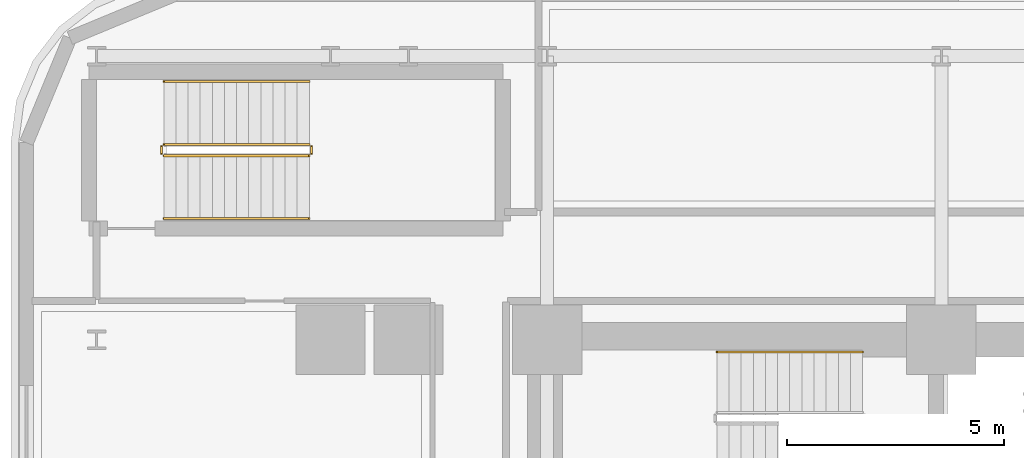
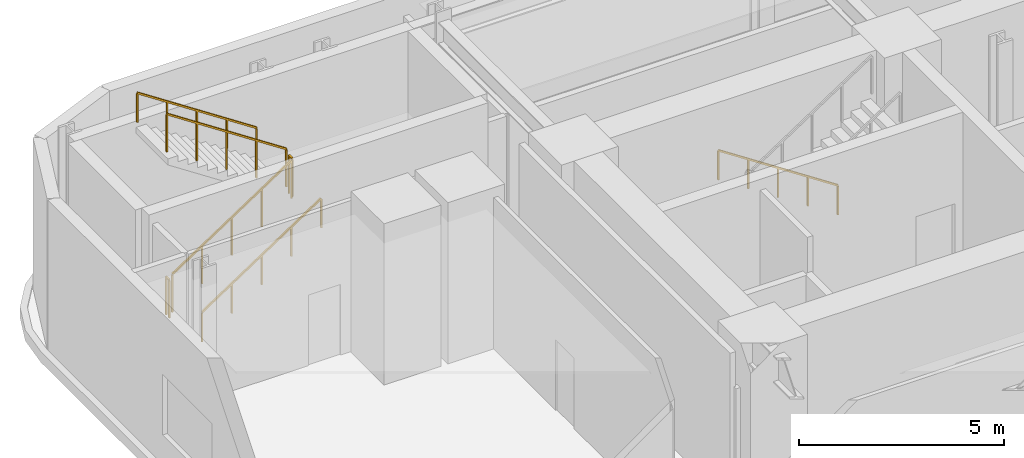
# One storey, part 15 of 16: 7 railings.
"""IFC4 building model written with IfcOpenShell, lengths in metres."""

import ifcopenshell
import ifcopenshell.guid

model = None  # the IFC model being written
_history = None  # IfcOwnerHistory: only IFC2X3 demands one
_inside = {}  # id of a spatial element -> (the spatial element, [elements in it])
_under = {}  # id of a project, library or spatial element -> (it, [spatial elements below it])
_declared = {}  # id of a project -> (the project, [libraries it declares])
_typed = {}  # id of a type object -> (the type object, [elements of that type])
_made_of = {}  # id of a material, layer set ... -> (it, [elements and type objects made of it])


def new_model(schema):
    """Start an empty IFC model of exactly this schema.

    Asked for "IFC4X3", IfcOpenShell would pick the latest addendum, in which some entities
    have other attributes; the version numbers below select the first issue.
    IFC2X3 requires an IfcOwnerHistory on every rooted entity: one is made here for all.
    """
    global model, _history
    if schema == "IFC4X3":
        model = ifcopenshell.file(schema_version=(4, 3, 0, 0))
    else:
        model = ifcopenshell.file(schema=schema)
    _inside.clear()
    _under.clear()
    _declared.clear()
    _typed.clear()
    _made_of.clear()
    _history = None
    if model.schema == "IFC2X3":
        org = make("IfcOrganization", Name="unknown")
        user = make(
            "IfcPersonAndOrganization",
            ThePerson=make("IfcPerson", FamilyName="unknown"),
            TheOrganization=org,
        )
        app = make(
            "IfcApplication",
            ApplicationDeveloper=org,
            Version="unknown",
            ApplicationFullName="unknown",
            ApplicationIdentifier="unknown",
        )
        _history = make(
            "IfcOwnerHistory",
            OwningUser=user,
            OwningApplication=app,
            ChangeAction="ADDED",
            CreationDate=0,
        )
    return model


def make(cls, **values):
    """One entity of the class cls with the attributes given. An attribute that is None is left unset."""
    return model.create_entity(
        cls, **{name: value for name, value in values.items() if value is not None}
    )


def rooted(cls, **values):
    """An entity with a GlobalId (a new one), such as an element, a storey or a relation."""
    return make(cls, GlobalId=ifcopenshell.guid.new(), OwnerHistory=_history, **values)


def si_unit(unit_type, name, prefix=None):
    """IfcSIUnit, for example si_unit("LENGTHUNIT", "METRE", prefix="MILLI")."""
    return make("IfcSIUnit", UnitType=unit_type, Prefix=prefix, Name=name)


def assignment(units):
    """IfcUnitAssignment: the units of a project."""
    return None if units is None else make("IfcUnitAssignment", Units=units)


def point(xyz):
    """IfcCartesianPoint."""
    return None if xyz is None else make("IfcCartesianPoint", Coordinates=xyz)


def direction(xyz):
    """IfcDirection."""
    return None if xyz is None else make("IfcDirection", DirectionRatios=xyz)


def frame(location, z_axis=None, x_axis=None):
    """IfcAxis2Placement3D, a coordinate frame: its origin and axes. An axis left out is left unset."""
    return make(
        "IfcAxis2Placement3D",
        Location=point(location),
        Axis=direction(z_axis),
        RefDirection=direction(x_axis),
    )


def frame_2d(location, x_axis=None):
    """IfcAxis2Placement2D, a coordinate frame in the plane: its origin and x axis."""
    return make(
        "IfcAxis2Placement2D", Location=point(location), RefDirection=direction(x_axis)
    )


def origin():
    """The frame at (0, 0, 0) with its axes left unset."""
    return frame((0.0, 0.0, 0.0))


def origin_2d():
    """The frame at (0, 0) in the plane with its x axis left unset."""
    return frame_2d((0.0, 0.0))


def place(relative_to, where):
    """IfcLocalPlacement: puts the frame where relative to a parent placement (None: the world)."""
    return make(
        "IfcLocalPlacement", PlacementRelTo=relative_to, RelativePlacement=where
    )


def context(
    kind, dimensions, precision=None, world=None, true_north=None, identifier=None
):
    """IfcGeometricRepresentationContext, for example the 3D "Model" context."""
    return make(
        "IfcGeometricRepresentationContext",
        ContextIdentifier=identifier,
        ContextType=kind,
        CoordinateSpaceDimension=dimensions,
        Precision=precision,
        WorldCoordinateSystem=world,
        TrueNorth=true_north,
    )


def subcontext(parent, identifier, kind, view, scale=None):
    """IfcGeometricRepresentationSubContext, for example "Body" below "Model"."""
    return make(
        "IfcGeometricRepresentationSubContext",
        ContextIdentifier=identifier,
        ContextType=kind,
        ParentContext=parent,
        TargetScale=scale,
        TargetView=view,
    )


def project(units=None, contexts=None):
    """IfcProject with its units and contexts."""
    return rooted(
        "IfcProject",
        Name="project",
        RepresentationContexts=contexts,
        UnitsInContext=assignment(units),
    )


def spatial(cls, under=None, at=None, **own):
    """A site, building, storey or space (cls), placed at a placement, below another one or the project."""
    s = rooted(cls, ObjectPlacement=at, **own)
    if under is not None:
        _under.setdefault(under.id(), (under, []))[1].append(s)
    return s


def profile(cls, at=None, kind="AREA", **sizes):
    """A parametric profile (cls). Its sizes go by their IFC names, for example OverallWidth=200.0."""
    return make(cls, ProfileType=kind, Position=at, **sizes)


def rectangle(**sizes):
    """IfcRectangleProfileDef."""
    return profile("IfcRectangleProfileDef", **sizes)


def extrude(swept, where, along, depth):
    """IfcExtrudedAreaSolid: the profile swept, set in the frame where, extruded along a direction by depth."""
    return make(
        "IfcExtrudedAreaSolid",
        SweptArea=swept,
        Position=where,
        ExtrudedDirection=direction(along),
        Depth=depth,
    )


def shape(context_of_items, identifier, shape_type, items):
    """IfcShapeRepresentation: the items that make up one representation, for example the "Body"."""
    return make(
        "IfcShapeRepresentation",
        ContextOfItems=context_of_items,
        RepresentationIdentifier=identifier,
        RepresentationType=shape_type,
        Items=items,
    )


def material(Name=None, Category=None):
    """IfcMaterial."""
    return make("IfcMaterial", Name=Name, Category=Category)


def made_of(thing, what):
    """Note that an element or type object is made of a material, layer set ...; save() writes the relation."""
    if what is not None:
        _made_of.setdefault(what.id(), (what, []))[1].append(thing)
    return thing


def type_object(cls, material=None, **own):
    """A type object (cls), such as IfcWallType, which elements share."""
    return made_of(rooted(cls, **own), material)


def element(
    cls,
    number,
    at=None,
    inside=None,
    cuts=None,
    type_object=None,
    material=None,
    context=None,
    identifier="Body",
    shape_type=None,
    held_by="IfcProductDefinitionShape",
    body=None,
    shapes=None,
    **own,
):
    """One element of the class cls, such as IfcWall. Its Tag is "e" and its number.

    at: its placement. inside: the storey or other place that contains it. cuts: it is an
    opening in that element (IfcRelVoidsElement). A single representation is given by context,
    identifier, shape_type and body (its items); several are given by shapes. held_by: the class
    of the entity that holds the representations. save() writes the other relations.
    """
    e = rooted(cls, Tag="e%d" % number, ObjectPlacement=at, **own)
    if body is not None:
        shapes = [shape(context, identifier, shape_type, body)]
    if shapes is not None:
        e.Representation = make(held_by, Representations=shapes)
    if inside is not None:
        _inside.setdefault(inside.id(), (inside, []))[1].append(e)
    if cuts is not None:
        rooted(
            "IfcRelVoidsElement", RelatingBuildingElement=cuts, RelatedOpeningElement=e
        )
    if type_object is not None:
        _typed.setdefault(type_object.id(), (type_object, []))[1].append(e)
    return made_of(e, material)


def aggregate(whole, parts):
    """IfcRelAggregates: a whole, such as a stair, and the parts it consists of."""
    return rooted("IfcRelAggregates", RelatingObject=whole, RelatedObjects=parts)


def save(model, path):
    """Write the relations noted so far, then the file.

    IfcRelAggregates (storeys below a building ...), IfcRelContainedInSpatialStructure (elements
    in a storey), IfcRelDefinesByType, IfcRelAssociatesMaterial and IfcRelDeclares: one each for
    every whole, place, type object, material and project.
    """
    for whole, parts in _under.values():
        aggregate(whole, parts)
    for where, things in _inside.values():
        rooted(
            "IfcRelContainedInSpatialStructure",
            RelatedElements=things,
            RelatingStructure=where,
        )
    for kind, things in _typed.values():
        rooted("IfcRelDefinesByType", RelatedObjects=things, RelatingType=kind)
    for what, things in _made_of.values():
        rooted("IfcRelAssociatesMaterial", RelatedObjects=things, RelatingMaterial=what)
    for by, libraries in _declared.values():
        rooted("IfcRelDeclares", RelatingContext=by, RelatedDefinitions=libraries)
    model.write(path)


model = new_model("IFC4")

# Units and contexts
model_context = context("Model", 3, precision=1e-05, world=origin(), true_north=direction((0.0, 1.0)))
body_context = subcontext(model_context, "Body", "Model", "MODEL_VIEW")
ifc_project = project(units=[si_unit("LENGTHUNIT", "METRE"), si_unit("AREAUNIT", "SQUARE_METRE"), si_unit("VOLUMEUNIT", "CUBIC_METRE"), si_unit("PLANEANGLEUNIT", "RADIAN"), si_unit("MASSUNIT", "GRAM", prefix="KILO")], contexts=[model_context])

# Site, building, storey
site_placement = place(None, origin())
site = spatial("IfcSite", under=ifc_project, at=site_placement, CompositionType="ELEMENT")
building_placement = place(site_placement, origin())
building = spatial("IfcBuilding", under=site, at=building_placement, Name="Zarnavel Station Tower", CompositionType="ELEMENT")
storey_placement = place(building_placement, frame((0.0, 0.0, 19.39990234375)))
storey = spatial("IfcBuildingStorey", under=building, at=storey_placement, Name="L05", CompositionType="ELEMENT", Elevation=19.39990234375)

# Railings
ifc_material_1 = material(Name="Painted Steel S355J2 Balustrade", Category="steel")
railing_type_1 = type_object("IfcRailingType", Name="GR_INT_1150", PredefinedType="GUARDRAIL", material=ifc_material_1)
railing_1_placement = place(storey_placement, frame((3.35009765625, 41.300048828125, 0.184814453125)))
element("IfcRailing", 1, at=railing_1_placement, inside=storey, type_object=railing_type_1, Name="L05 ST4 stair guard 1", PredefinedType="GUARDRAIL", context=body_context, shape_type="SweptSolid", body=[
    extrude(rectangle(XDim=0.048095703125, YDim=0.048095703125, at=origin_2d()), frame((0.001708984375, 0.0, 1.126953125), z_axis=(0.834858096282, 0.0, 0.550465220583), x_axis=(0.0, 1.0, 0.0)), (0.0, 0.0, 1.0), 4.0205078125),
    extrude(rectangle(XDim=0.0419921875, YDim=0.0419921875, at=origin_2d()), origin(), (0.0, 0.0, 1.0), 1.101806640625),
    extrude(rectangle(XDim=0.0419921875, YDim=0.0419921875, at=origin_2d()), frame((0.83984375, 0.0, 0.5537109375)), (0.0, 0.0, 1.0), 1.101806640625),
    extrude(rectangle(XDim=0.0419921875, YDim=0.0419921875, at=origin_2d()), frame((1.679931640625, 0.0, 1.107666015625)), (0.0, 0.0, 1.0), 1.101806640625),
    extrude(rectangle(XDim=0.0419921875, YDim=0.0419921875, at=origin_2d()), frame((2.52001953125, 0.0, 1.66162109375)), (0.0, 0.0, 1.0), 1.101806640625),
    extrude(rectangle(XDim=0.0419921875, YDim=0.0419921875, at=origin_2d()), frame((3.35986328125, 0.0, 2.21533203125)), (0.0, 0.0, 1.0), 1.101806640625),
])
railing_2_placement = place(storey_placement, frame((6.760009765625, 41.35009765625, 2.400146484375)))
element("IfcRailing", 2, at=railing_2_placement, inside=storey, type_object=railing_type_1, Name="L05 ST4 stair guard 2", PredefinedType="GUARDRAIL", context=body_context, shape_type="SweptSolid", body=[
    extrude(rectangle(XDim=0.048095703125, YDim=0.048095703125, at=origin_2d()), frame((0.0, 0.001953125, 1.1259765625), z_axis=(0.0, 1.0, 0.0), x_axis=(-1.0, 0.0, 0.0)), (0.0, 0.0, 1.0), 0.156005859375),
    extrude(rectangle(XDim=0.0419921875, YDim=0.0419921875, at=origin_2d()), origin(), (0.0, 0.0, 1.0), 1.101806640625),
    extrude(rectangle(XDim=0.0419921875, YDim=0.0419921875, at=origin_2d()), frame((0.0, 0.159912109375, 0.0)), (0.0, 0.0, 1.0), 1.101806640625),
])
railing_3_placement = place(storey_placement, frame((6.7099609375, 41.56005859375, 2.584716796875)))
element("IfcRailing", 3, at=railing_3_placement, inside=storey, type_object=railing_type_1, Name="L05 ST4 stair guard 3", PredefinedType="GUARDRAIL", context=body_context, shape_type="SweptSolid", body=[
    extrude(rectangle(XDim=0.048095703125, YDim=0.048095703125, at=origin_2d()), frame((-0.001708984375, 0.0, 1.126953125), z_axis=(-0.834858096282, 0.0, 0.550465220583), x_axis=(0.0, -1.0, 0.0)), (0.0, 0.0, 1.0), 4.0205078125),
    extrude(rectangle(XDim=0.0419921875, YDim=0.0419921875, at=origin_2d()), origin(), (0.0, 0.0, 1.0), 1.101806640625),
    extrude(rectangle(XDim=0.0419921875, YDim=0.0419921875, at=origin_2d()), frame((-0.83984375, 0.0, 0.5537109375)), (0.0, 0.0, 1.0), 1.101806640625),
    extrude(rectangle(XDim=0.0419921875, YDim=0.0419921875, at=origin_2d()), frame((-1.679931640625, 0.0, 1.107666015625)), (0.0, 0.0, 1.0), 1.101806640625),
    extrude(rectangle(XDim=0.0419921875, YDim=0.0419921875, at=origin_2d()), frame((-2.52001953125, 0.0, 1.66162109375)), (0.0, 0.0, 1.0), 1.101806640625),
    extrude(rectangle(XDim=0.0419921875, YDim=0.0419921875, at=origin_2d()), frame((-3.35986328125, 0.0, 2.21533203125)), (0.0, 0.0, 1.0), 1.101806640625),
])
railing_4_placement = place(storey_placement, frame((3.300048828125, 41.35009765625, 0.0)))
element("IfcRailing", 4, at=railing_4_placement, inside=storey, type_object=railing_type_1, Name="L05 ST4 stair guard 4", PredefinedType="GUARDRAIL", context=body_context, shape_type="SweptSolid", body=[
    extrude(rectangle(XDim=0.048095703125, YDim=0.048095703125, at=origin_2d()), frame((0.0, 0.001953125, 1.1259765625), z_axis=(0.0, 1.0, 0.0), x_axis=(-1.0, 0.0, 0.0)), (0.0, 0.0, 1.0), 0.156005859375),
    extrude(rectangle(XDim=0.0419921875, YDim=0.0419921875, at=origin_2d()), origin(), (0.0, 0.0, 1.0), 1.101806640625),
    extrude(rectangle(XDim=0.0419921875, YDim=0.0419921875, at=origin_2d()), frame((0.0, 0.159912109375, 0.0)), (0.0, 0.0, 1.0), 1.101806640625),
])
ifc_material_2 = material(Name="Brushed Stainless Steel S355J2 Handrail", Category="steel")
railing_type_2 = type_object("IfcRailingType", Name="HR_STAIR_900", PredefinedType="HANDRAIL", material=ifc_material_2)
railing_5_placement = place(storey_placement, frame((19.47998046875, 36.77001953125, 0.184814453125)))
element("IfcRailing", 5, at=railing_5_placement, inside=storey, type_object=railing_type_2, Name="L05 ST1 stair handrail 1", PredefinedType="HANDRAIL", context=body_context, shape_type="SweptSolid", body=[
    extrude(rectangle(XDim=0.048095703125, YDim=0.048095703125, at=origin_2d()), frame((-0.001708984375, 0.0, 0.876953125), z_axis=(-0.834858096282, 0.0, 0.550465220583), x_axis=(0.0, -1.0, 0.0)), (0.0, 0.0, 1.0), 4.0205078125),
    extrude(rectangle(XDim=0.0419921875, YDim=0.0419921875, at=origin_2d()), origin(), (0.0, 0.0, 1.0), 0.851806640625),
    extrude(rectangle(XDim=0.0419921875, YDim=0.0419921875, at=origin_2d()), frame((-0.83984375, 0.0, 0.5537109375)), (0.0, 0.0, 1.0), 0.851806640625),
    extrude(rectangle(XDim=0.0419921875, YDim=0.0419921875, at=origin_2d()), frame((-1.679931640625, 0.0, 1.107666015625)), (0.0, 0.0, 1.0), 0.851806640625),
    extrude(rectangle(XDim=0.0419921875, YDim=0.0419921875, at=origin_2d()), frame((-2.52001953125, 0.0, 1.66162109375)), (0.0, 0.0, 1.0), 0.851806640625),
    extrude(rectangle(XDim=0.0419921875, YDim=0.0419921875, at=origin_2d()), frame((-3.35986328125, 0.0, 2.21533203125)), (0.0, 0.0, 1.0), 0.851806640625),
])
railing_6_placement = place(storey_placement, frame((3.35009765625, 39.85009765625, 0.184814453125)))
element("IfcRailing", 6, at=railing_6_placement, inside=storey, type_object=railing_type_2, Name="L05 ST4 stair handrail 1", PredefinedType="HANDRAIL", context=body_context, shape_type="SweptSolid", body=[
    extrude(rectangle(XDim=0.048095703125, YDim=0.048095703125, at=origin_2d()), frame((0.001708984375, 0.0, 0.876953125), z_axis=(0.834858096282, 0.0, 0.550465220583), x_axis=(0.0, 1.0, 0.0)), (0.0, 0.0, 1.0), 4.0205078125),
    extrude(rectangle(XDim=0.0419921875, YDim=0.0419921875, at=origin_2d()), origin(), (0.0, 0.0, 1.0), 0.851806640625),
    extrude(rectangle(XDim=0.0419921875, YDim=0.0419921875, at=origin_2d()), frame((0.83984375, 0.0, 0.5537109375)), (0.0, 0.0, 1.0), 0.851806640625),
    extrude(rectangle(XDim=0.0419921875, YDim=0.0419921875, at=origin_2d()), frame((1.679931640625, 0.0, 1.107666015625)), (0.0, 0.0, 1.0), 0.851806640625),
    extrude(rectangle(XDim=0.0419921875, YDim=0.0419921875, at=origin_2d()), frame((2.52001953125, 0.0, 1.66162109375)), (0.0, 0.0, 1.0), 0.851806640625),
    extrude(rectangle(XDim=0.0419921875, YDim=0.0419921875, at=origin_2d()), frame((3.35986328125, 0.0, 2.21533203125)), (0.0, 0.0, 1.0), 0.851806640625),
])
railing_7_placement = place(storey_placement, frame((6.7099609375, 43.010009765625, 2.584716796875)))
element("IfcRailing", 7, at=railing_7_placement, inside=storey, type_object=railing_type_2, Name="L05 ST4 stair handrail 2", PredefinedType="HANDRAIL", context=body_context, shape_type="SweptSolid", body=[
    extrude(rectangle(XDim=0.048095703125, YDim=0.048095703125, at=origin_2d()), frame((-0.001708984375, 0.0, 0.876953125), z_axis=(-0.834858096282, 0.0, 0.550465220583), x_axis=(0.0, -1.0, 0.0)), (0.0, 0.0, 1.0), 4.0205078125),
    extrude(rectangle(XDim=0.0419921875, YDim=0.0419921875, at=origin_2d()), origin(), (0.0, 0.0, 1.0), 0.851806640625),
    extrude(rectangle(XDim=0.0419921875, YDim=0.0419921875, at=origin_2d()), frame((-0.83984375, 0.0, 0.5537109375)), (0.0, 0.0, 1.0), 0.851806640625),
    extrude(rectangle(XDim=0.0419921875, YDim=0.0419921875, at=origin_2d()), frame((-1.679931640625, 0.0, 1.107666015625)), (0.0, 0.0, 1.0), 0.851806640625),
    extrude(rectangle(XDim=0.0419921875, YDim=0.0419921875, at=origin_2d()), frame((-2.52001953125, 0.0, 1.66162109375)), (0.0, 0.0, 1.0), 0.851806640625),
    extrude(rectangle(XDim=0.0419921875, YDim=0.0419921875, at=origin_2d()), frame((-3.35986328125, 0.0, 2.21533203125)), (0.0, 0.0, 1.0), 0.851806640625),
])

save(model, "model.ifc")
